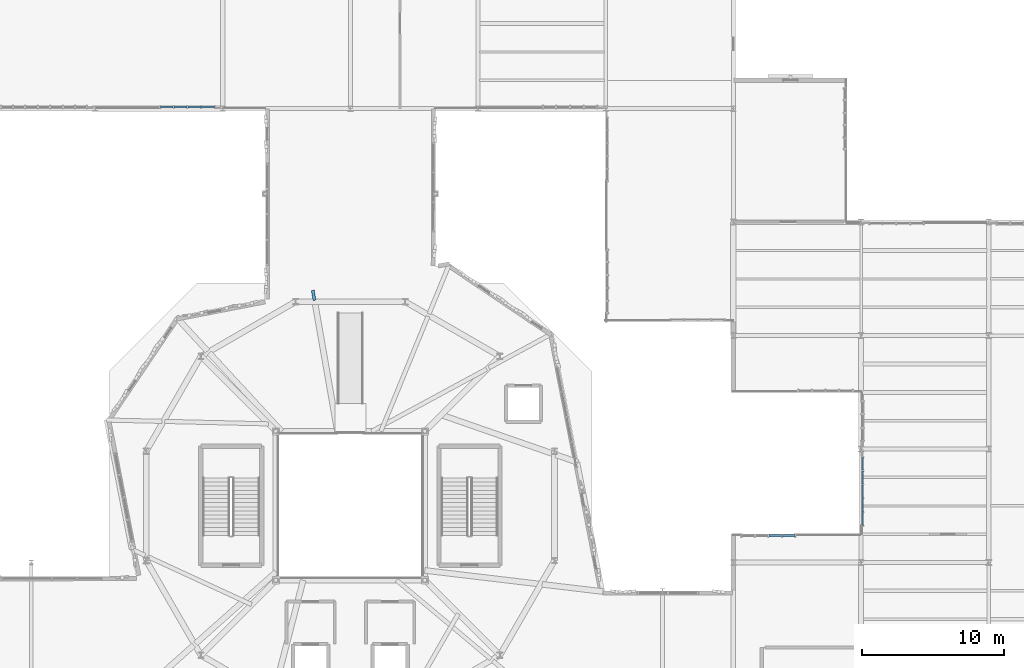
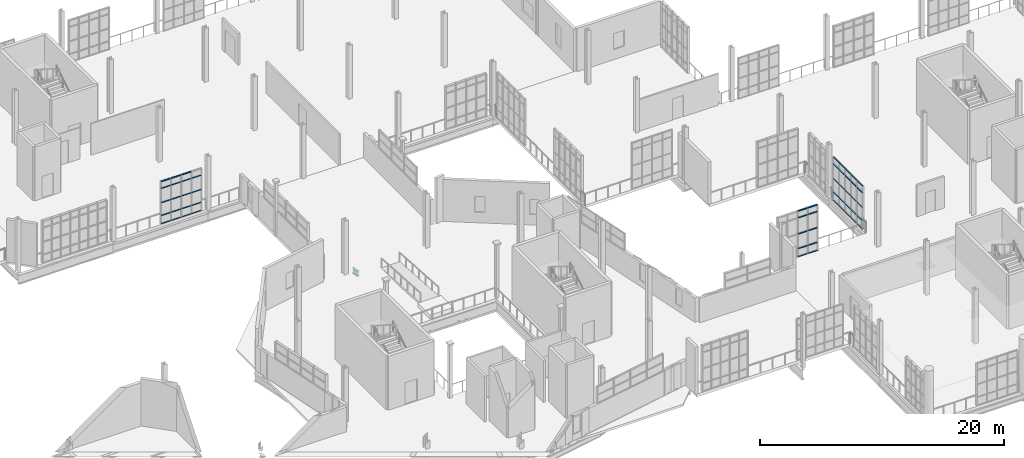
# One storey, part 90 of 142: 54 members, 1 beam, 3 elements without a shape of their own.
"""IFC4 building model written with IfcOpenShell, lengths in metres."""

from ifc_helpers import new_model, si_unit, direction, frame, origin, origin_2d, place, context, subcontext, project, spatial, hollow_rectangle, i_section, extrude, material, layer, layer_set, material_profile, profile_set, type_object, element, aggregate, save


model = new_model("IFC4")

# Units and contexts
model_context = context("Model", 3, precision=1e-05, world=origin(), true_north=direction((0.0, 1.0)))
body_context = subcontext(model_context, "Body", "Model", "MODEL_VIEW")
ifc_project = project(units=[si_unit("LENGTHUNIT", "METRE"), si_unit("AREAUNIT", "SQUARE_METRE"), si_unit("VOLUMEUNIT", "CUBIC_METRE"), si_unit("PLANEANGLEUNIT", "RADIAN"), si_unit("MASSUNIT", "GRAM", prefix="KILO"), si_unit("THERMODYNAMICTEMPERATUREUNIT", "KELVIN"), si_unit("POWERUNIT", "WATT")], contexts=[model_context])

# Site, building, storey
site_placement = place(None, origin())
site = spatial("IfcSite", under=ifc_project, at=site_placement, CompositionType="ELEMENT")
building_placement = place(site_placement, origin())
building = spatial("IfcBuilding", under=site, at=building_placement, Name="Zelmaris Science Centre", CompositionType="ELEMENT")
storey_placement = place(building_placement, frame((0.0, 0.0, 5.39990234375)))
storey = spatial("IfcBuildingStorey", under=building, at=storey_placement, Name="L01", CompositionType="ELEMENT", Elevation=5.39990234375)

# Curtain wall, members
ifc_material_1 = material(Name="Anodised architectural aluminium 6063-T6", Category="aluminium")
ifc_layer_1 = layer(ifc_material_1, 0.219970703125, Name="Anodised architectural aluminium 6063-T6")
ifc_layer_set_1 = layer_set([ifc_layer_1], Name="Anodised architectural aluminium 6063-T6")
curtain_wall_type_1 = type_object("IfcCurtainWallType", Name="Curtain Wall CW-04", PredefinedType="USERDEFINED", material=ifc_layer_set_1)
curtain_wall_1_placement = place(storey_placement, origin())
curtain_wall_1 = element("IfcCurtainWall", 1, at=curtain_wall_1_placement, inside=storey, type_object=curtain_wall_type_1, Name="L01 Unitised curtain wall 180", ObjectType="GLAZED CURTAIN WALL", PredefinedType="USERDEFINED")
ifc_material_profile_1 = material_profile(ifc_material_1, hollow_rectangle(XDim=0.06005859375, YDim=0.110107421875, WallThickness=0.0029296875, at=origin_2d()), Name="ALU-TRN-60X110")
ifc_profile_set_1 = profile_set([ifc_material_profile_1], Name="Anodised architectural aluminium 6063-T6")
member_type_1 = type_object("IfcMemberType", Name="ALU-TRN-60X110", PredefinedType="USERDEFINED", material=ifc_profile_set_1)
member_1_placement = place(storey_placement, frame((117.1103515625, 34.61865234375, 0.010986328125), z_axis=(0.001084304052, 0.999999412142, 0.0), x_axis=(0.0, 0.0, 1.0)))
member_1 = element("IfcMember", 2, at=member_1_placement, type_object=member_type_1, Name="CW-04 transom 1.1", ObjectType="TRANSOM", PredefinedType="USERDEFINED", context=body_context, shape_type="SweptSolid", body=[
    extrude(hollow_rectangle(XDim=0.06005859375, YDim=0.110107421875, WallThickness=0.0029296875, at=origin_2d()), origin(), (0.0, 0.0, 1.0), 0.900634765625),
])
member_2_placement = place(storey_placement, frame((117.1103515625, 34.61865234375, 0.835205078125), z_axis=(0.001084304052, 0.999999412142, 0.0), x_axis=(0.0, 0.0, 1.0)))
member_2 = element("IfcMember", 3, at=member_2_placement, type_object=member_type_1, Name="CW-04 transom 1.2", ObjectType="TRANSOM", PredefinedType="USERDEFINED", context=body_context, shape_type="SweptSolid", body=[
    extrude(hollow_rectangle(XDim=0.06005859375, YDim=0.110107421875, WallThickness=0.0029296875, at=origin_2d()), origin(), (0.0, 0.0, 1.0), 0.900634765625),
])
member_3_placement = place(storey_placement, frame((117.1103515625, 34.61865234375, 2.16650390625), z_axis=(0.001084304052, 0.999999412142, 0.0), x_axis=(0.0, 0.0, 1.0)))
member_3 = element("IfcMember", 4, at=member_3_placement, type_object=member_type_1, Name="CW-04 transom 1.3", ObjectType="TRANSOM", PredefinedType="USERDEFINED", context=body_context, shape_type="SweptSolid", body=[
    extrude(hollow_rectangle(XDim=0.06005859375, YDim=0.110107421875, WallThickness=0.0029296875, at=origin_2d()), origin(), (0.0, 0.0, 1.0), 0.900634765625),
])
member_4_placement = place(storey_placement, frame((117.1103515625, 34.61865234375, 3.648193359375), z_axis=(0.001084304052, 0.999999412142, 0.0), x_axis=(0.0, 0.0, 1.0)))
member_4 = element("IfcMember", 5, at=member_4_placement, type_object=member_type_1, Name="CW-04 transom 1.4", ObjectType="TRANSOM", PredefinedType="USERDEFINED", context=body_context, shape_type="SweptSolid", body=[
    extrude(hollow_rectangle(XDim=0.06005859375, YDim=0.110107421875, WallThickness=0.0029296875, at=origin_2d()), origin(), (0.0, 0.0, 1.0), 0.900634765625),
])
member_5_placement = place(storey_placement, frame((117.1103515625, 34.61865234375, 4.322021484375), z_axis=(0.001084304052, 0.999999412142, 0.0), x_axis=(0.0, 0.0, 1.0)))
member_5 = element("IfcMember", 6, at=member_5_placement, type_object=member_type_1, Name="CW-04 transom 1.5", ObjectType="TRANSOM", PredefinedType="USERDEFINED", context=body_context, shape_type="SweptSolid", body=[
    extrude(hollow_rectangle(XDim=0.06005859375, YDim=0.110107421875, WallThickness=0.0029296875, at=origin_2d()), origin(), (0.0, 0.0, 1.0), 0.900634765625),
])
member_6_placement = place(storey_placement, frame((117.111328125, 35.5712890625, 0.010986328125), z_axis=(0.00105401786, 0.999999444523, 0.0), x_axis=(0.0, 0.0, 1.0)))
member_6 = element("IfcMember", 7, at=member_6_placement, type_object=member_type_1, Name="CW-04 transom 2.1", ObjectType="TRANSOM", PredefinedType="USERDEFINED", context=body_context, shape_type="SweptSolid", body=[
    extrude(hollow_rectangle(XDim=0.06005859375, YDim=0.110107421875, WallThickness=0.0029296875, at=origin_2d()), origin(), (0.0, 0.0, 1.0), 0.926513671875),
])
member_7_placement = place(storey_placement, frame((117.111328125, 35.5712890625, 0.835205078125), z_axis=(0.00105401786, 0.999999444523, 0.0), x_axis=(0.0, 0.0, 1.0)))
member_7 = element("IfcMember", 8, at=member_7_placement, type_object=member_type_1, Name="CW-04 transom 2.2", ObjectType="TRANSOM", PredefinedType="USERDEFINED", context=body_context, shape_type="SweptSolid", body=[
    extrude(hollow_rectangle(XDim=0.06005859375, YDim=0.110107421875, WallThickness=0.0029296875, at=origin_2d()), origin(), (0.0, 0.0, 1.0), 0.926513671875),
])
member_8_placement = place(storey_placement, frame((117.111328125, 35.5712890625, 2.16650390625), z_axis=(0.00105401786, 0.999999444523, 0.0), x_axis=(0.0, 0.0, 1.0)))
member_8 = element("IfcMember", 9, at=member_8_placement, type_object=member_type_1, Name="CW-04 transom 2.3", ObjectType="TRANSOM", PredefinedType="USERDEFINED", context=body_context, shape_type="SweptSolid", body=[
    extrude(hollow_rectangle(XDim=0.06005859375, YDim=0.110107421875, WallThickness=0.0029296875, at=origin_2d()), origin(), (0.0, 0.0, 1.0), 0.926513671875),
])
member_9_placement = place(storey_placement, frame((117.111328125, 35.5712890625, 3.648193359375), z_axis=(0.00105401786, 0.999999444523, 0.0), x_axis=(0.0, 0.0, 1.0)))
member_9 = element("IfcMember", 10, at=member_9_placement, type_object=member_type_1, Name="CW-04 transom 2.4", ObjectType="TRANSOM", PredefinedType="USERDEFINED", context=body_context, shape_type="SweptSolid", body=[
    extrude(hollow_rectangle(XDim=0.06005859375, YDim=0.110107421875, WallThickness=0.0029296875, at=origin_2d()), origin(), (0.0, 0.0, 1.0), 0.926513671875),
])
member_10_placement = place(storey_placement, frame((117.111328125, 35.5712890625, 4.322021484375), z_axis=(0.00105401786, 0.999999444523, 0.0), x_axis=(0.0, 0.0, 1.0)))
member_10 = element("IfcMember", 11, at=member_10_placement, type_object=member_type_1, Name="CW-04 transom 2.5", ObjectType="TRANSOM", PredefinedType="USERDEFINED", context=body_context, shape_type="SweptSolid", body=[
    extrude(hollow_rectangle(XDim=0.06005859375, YDim=0.110107421875, WallThickness=0.0029296875, at=origin_2d()), origin(), (0.0, 0.0, 1.0), 0.926513671875),
])
member_11_placement = place(storey_placement, frame((117.1123046875, 36.5498046875, 0.010986328125), z_axis=(0.001053740195, 0.999999444816, 0.0), x_axis=(0.0, 0.0, 1.0)))
member_11 = element("IfcMember", 12, at=member_11_placement, type_object=member_type_1, Name="CW-04 transom 3.1", ObjectType="TRANSOM", PredefinedType="USERDEFINED", context=body_context, shape_type="SweptSolid", body=[
    extrude(hollow_rectangle(XDim=0.06005859375, YDim=0.110107421875, WallThickness=0.0029296875, at=origin_2d()), origin(), (0.0, 0.0, 1.0), 0.9267578125),
])
member_12_placement = place(storey_placement, frame((117.1123046875, 36.5498046875, 0.835205078125), z_axis=(0.001053740195, 0.999999444816, 0.0), x_axis=(0.0, 0.0, 1.0)))
member_12 = element("IfcMember", 13, at=member_12_placement, type_object=member_type_1, Name="CW-04 transom 3.2", ObjectType="TRANSOM", PredefinedType="USERDEFINED", context=body_context, shape_type="SweptSolid", body=[
    extrude(hollow_rectangle(XDim=0.06005859375, YDim=0.110107421875, WallThickness=0.0029296875, at=origin_2d()), origin(), (0.0, 0.0, 1.0), 0.9267578125),
])
member_13_placement = place(storey_placement, frame((117.1123046875, 36.5498046875, 2.16650390625), z_axis=(0.001053740195, 0.999999444816, 0.0), x_axis=(0.0, 0.0, 1.0)))
member_13 = element("IfcMember", 14, at=member_13_placement, type_object=member_type_1, Name="CW-04 transom 3.3", ObjectType="TRANSOM", PredefinedType="USERDEFINED", context=body_context, shape_type="SweptSolid", body=[
    extrude(hollow_rectangle(XDim=0.06005859375, YDim=0.110107421875, WallThickness=0.0029296875, at=origin_2d()), origin(), (0.0, 0.0, 1.0), 0.9267578125),
])
member_14_placement = place(storey_placement, frame((117.1123046875, 36.5498046875, 3.648193359375), z_axis=(0.001053740195, 0.999999444816, 0.0), x_axis=(0.0, 0.0, 1.0)))
member_14 = element("IfcMember", 15, at=member_14_placement, type_object=member_type_1, Name="CW-04 transom 3.4", ObjectType="TRANSOM", PredefinedType="USERDEFINED", context=body_context, shape_type="SweptSolid", body=[
    extrude(hollow_rectangle(XDim=0.06005859375, YDim=0.110107421875, WallThickness=0.0029296875, at=origin_2d()), origin(), (0.0, 0.0, 1.0), 0.9267578125),
])
member_15_placement = place(storey_placement, frame((117.1123046875, 36.5498046875, 4.322021484375), z_axis=(0.001053740195, 0.999999444816, 0.0), x_axis=(0.0, 0.0, 1.0)))
member_15 = element("IfcMember", 16, at=member_15_placement, type_object=member_type_1, Name="CW-04 transom 3.5", ObjectType="TRANSOM", PredefinedType="USERDEFINED", context=body_context, shape_type="SweptSolid", body=[
    extrude(hollow_rectangle(XDim=0.06005859375, YDim=0.110107421875, WallThickness=0.0029296875, at=origin_2d()), origin(), (0.0, 0.0, 1.0), 0.9267578125),
])
member_16_placement = place(storey_placement, frame((117.113525390625, 37.528564453125, 0.010986328125), z_axis=(0.000790305338, 0.999999687709, 0.0), x_axis=(0.0, 0.0, 1.0)))
member_16 = element("IfcMember", 17, at=member_16_placement, type_object=member_type_1, Name="CW-04 transom 4.1", ObjectType="TRANSOM", PredefinedType="USERDEFINED", context=body_context, shape_type="SweptSolid", body=[
    extrude(hollow_rectangle(XDim=0.06005859375, YDim=0.110107421875, WallThickness=0.0029296875, at=origin_2d()), origin(), (0.0, 0.0, 1.0), 0.9267578125),
])
member_17_placement = place(storey_placement, frame((117.113525390625, 37.528564453125, 0.835205078125), z_axis=(0.000790305338, 0.999999687709, 0.0), x_axis=(0.0, 0.0, 1.0)))
member_17 = element("IfcMember", 18, at=member_17_placement, type_object=member_type_1, Name="CW-04 transom 4.2", ObjectType="TRANSOM", PredefinedType="USERDEFINED", context=body_context, shape_type="SweptSolid", body=[
    extrude(hollow_rectangle(XDim=0.06005859375, YDim=0.110107421875, WallThickness=0.0029296875, at=origin_2d()), origin(), (0.0, 0.0, 1.0), 0.9267578125),
])
member_18_placement = place(storey_placement, frame((117.113525390625, 37.528564453125, 2.16650390625), z_axis=(0.000790305338, 0.999999687709, 0.0), x_axis=(0.0, 0.0, 1.0)))
member_18 = element("IfcMember", 19, at=member_18_placement, type_object=member_type_1, Name="CW-04 transom 4.3", ObjectType="TRANSOM", PredefinedType="USERDEFINED", context=body_context, shape_type="SweptSolid", body=[
    extrude(hollow_rectangle(XDim=0.06005859375, YDim=0.110107421875, WallThickness=0.0029296875, at=origin_2d()), origin(), (0.0, 0.0, 1.0), 0.9267578125),
])
member_19_placement = place(storey_placement, frame((117.113525390625, 37.528564453125, 3.648193359375), z_axis=(0.000790305338, 0.999999687709, 0.0), x_axis=(0.0, 0.0, 1.0)))
member_19 = element("IfcMember", 20, at=member_19_placement, type_object=member_type_1, Name="CW-04 transom 4.4", ObjectType="TRANSOM", PredefinedType="USERDEFINED", context=body_context, shape_type="SweptSolid", body=[
    extrude(hollow_rectangle(XDim=0.06005859375, YDim=0.110107421875, WallThickness=0.0029296875, at=origin_2d()), origin(), (0.0, 0.0, 1.0), 0.9267578125),
])
member_20_placement = place(storey_placement, frame((117.113525390625, 37.528564453125, 4.322021484375), z_axis=(0.000790305338, 0.999999687709, 0.0), x_axis=(0.0, 0.0, 1.0)))
member_20 = element("IfcMember", 21, at=member_20_placement, type_object=member_type_1, Name="CW-04 transom 4.5", ObjectType="TRANSOM", PredefinedType="USERDEFINED", context=body_context, shape_type="SweptSolid", body=[
    extrude(hollow_rectangle(XDim=0.06005859375, YDim=0.110107421875, WallThickness=0.0029296875, at=origin_2d()), origin(), (0.0, 0.0, 1.0), 0.9267578125),
])
member_21_placement = place(storey_placement, frame((117.114501953125, 38.50732421875, 0.010986328125), z_axis=(0.000813228248, 0.99999966933, 0.0), x_axis=(0.0, 0.0, 1.0)))
member_21 = element("IfcMember", 22, at=member_21_placement, type_object=member_type_1, Name="CW-04 transom 5.1", ObjectType="TRANSOM", PredefinedType="USERDEFINED", context=body_context, shape_type="SweptSolid", body=[
    extrude(hollow_rectangle(XDim=0.06005859375, YDim=0.110107421875, WallThickness=0.0029296875, at=origin_2d()), origin(), (0.0, 0.0, 1.0), 0.900634765625),
])
member_22_placement = place(storey_placement, frame((117.114501953125, 38.50732421875, 0.835205078125), z_axis=(0.000813228248, 0.99999966933, 0.0), x_axis=(0.0, 0.0, 1.0)))
member_22 = element("IfcMember", 23, at=member_22_placement, type_object=member_type_1, Name="CW-04 transom 5.2", ObjectType="TRANSOM", PredefinedType="USERDEFINED", context=body_context, shape_type="SweptSolid", body=[
    extrude(hollow_rectangle(XDim=0.06005859375, YDim=0.110107421875, WallThickness=0.0029296875, at=origin_2d()), origin(), (0.0, 0.0, 1.0), 0.900634765625),
])
member_23_placement = place(storey_placement, frame((117.114501953125, 38.50732421875, 2.16650390625), z_axis=(0.000813228248, 0.99999966933, 0.0), x_axis=(0.0, 0.0, 1.0)))
member_23 = element("IfcMember", 24, at=member_23_placement, type_object=member_type_1, Name="CW-04 transom 5.3", ObjectType="TRANSOM", PredefinedType="USERDEFINED", context=body_context, shape_type="SweptSolid", body=[
    extrude(hollow_rectangle(XDim=0.06005859375, YDim=0.110107421875, WallThickness=0.0029296875, at=origin_2d()), origin(), (0.0, 0.0, 1.0), 0.900634765625),
])
member_24_placement = place(storey_placement, frame((117.114501953125, 38.50732421875, 3.648193359375), z_axis=(0.000813228248, 0.99999966933, 0.0), x_axis=(0.0, 0.0, 1.0)))
member_24 = element("IfcMember", 25, at=member_24_placement, type_object=member_type_1, Name="CW-04 transom 5.4", ObjectType="TRANSOM", PredefinedType="USERDEFINED", context=body_context, shape_type="SweptSolid", body=[
    extrude(hollow_rectangle(XDim=0.06005859375, YDim=0.110107421875, WallThickness=0.0029296875, at=origin_2d()), origin(), (0.0, 0.0, 1.0), 0.900634765625),
])
member_25_placement = place(storey_placement, frame((117.114501953125, 38.50732421875, 4.322021484375), z_axis=(0.000813228248, 0.99999966933, 0.0), x_axis=(0.0, 0.0, 1.0)))
member_25 = element("IfcMember", 26, at=member_25_placement, type_object=member_type_1, Name="CW-04 transom 5.5", ObjectType="TRANSOM", PredefinedType="USERDEFINED", context=body_context, shape_type="SweptSolid", body=[
    extrude(hollow_rectangle(XDim=0.06005859375, YDim=0.110107421875, WallThickness=0.0029296875, at=origin_2d()), origin(), (0.0, 0.0, 1.0), 0.900634765625),
])
aggregate(curtain_wall_1, [member_1, member_2, member_3, member_4, member_5, member_6, member_7, member_8, member_9, member_10, member_11, member_12, member_13, member_14, member_15, member_16, member_17, member_18, member_19, member_20, member_21, member_22, member_23, member_24, member_25])

ifc_layer_2 = layer(ifc_material_1, 0.2099609375, Name="Anodised architectural aluminium 6063-T6")
ifc_layer_set_2 = layer_set([ifc_layer_2], Name="Anodised architectural aluminium 6063-T6")
curtain_wall_type_2 = type_object("IfcCurtainWallType", Name="Curtain Wall CW-03", PredefinedType="USERDEFINED", material=ifc_layer_set_2)
curtain_wall_2_placement = place(storey_placement, origin())
curtain_wall_2 = element("IfcCurtainWall", 27, at=curtain_wall_2_placement, inside=storey, type_object=curtain_wall_type_2, Name="L01 Unitised curtain wall 195", ObjectType="GLAZED CURTAIN WALL", PredefinedType="USERDEFINED")
ifc_material_profile_2 = material_profile(ifc_material_1, hollow_rectangle(XDim=0.06494140625, YDim=0.1298828125, WallThickness=0.00341796875, at=origin_2d()), Name="ALU-TRN-65X130")
ifc_profile_set_2 = profile_set([ifc_material_profile_2], Name="Anodised architectural aluminium 6063-T6")
member_type_2 = type_object("IfcMemberType", Name="ALU-TRN-65X130", PredefinedType="USERDEFINED", material=ifc_profile_set_2)
member_26_placement = place(storey_placement, frame((71.403076171875, 64.105712890625, 0.013671875), z_axis=(-0.999999397203, 0.001097995495, 0.0), x_axis=(0.0, 0.0, 1.0)))
member_26 = element("IfcMember", 28, at=member_26_placement, type_object=member_type_2, Name="CW-03 transom 1.1", ObjectType="TRANSOM", PredefinedType="USERDEFINED", context=body_context, shape_type="SweptSolid", body=[
    extrude(hollow_rectangle(XDim=0.06494140625, YDim=0.1298828125, WallThickness=0.00341796875, at=origin_2d()), origin(), (0.0, 0.0, 1.0), 0.889404296875),
])
member_27_placement = place(storey_placement, frame((71.403076171875, 64.105712890625, 0.835205078125), z_axis=(-0.999999397203, 0.001097995495, 0.0), x_axis=(0.0, 0.0, 1.0)))
member_27 = element("IfcMember", 29, at=member_27_placement, type_object=member_type_2, Name="CW-03 transom 1.2", ObjectType="TRANSOM", PredefinedType="USERDEFINED", context=body_context, shape_type="SweptSolid", body=[
    extrude(hollow_rectangle(XDim=0.06494140625, YDim=0.1298828125, WallThickness=0.00341796875, at=origin_2d()), origin(), (0.0, 0.0, 1.0), 0.889404296875),
])
member_28_placement = place(storey_placement, frame((71.403076171875, 64.105712890625, 2.11962890625), z_axis=(-0.999999397203, 0.001097995495, 0.0), x_axis=(0.0, 0.0, 1.0)))
member_28 = element("IfcMember", 30, at=member_28_placement, type_object=member_type_2, Name="CW-03 transom 1.3", ObjectType="TRANSOM", PredefinedType="USERDEFINED", context=body_context, shape_type="SweptSolid", body=[
    extrude(hollow_rectangle(XDim=0.06494140625, YDim=0.1298828125, WallThickness=0.00341796875, at=origin_2d()), origin(), (0.0, 0.0, 1.0), 0.889404296875),
])
member_29_placement = place(storey_placement, frame((71.403076171875, 64.105712890625, 3.55419921875), z_axis=(-0.999999397203, 0.001097995495, 0.0), x_axis=(0.0, 0.0, 1.0)))
member_29 = element("IfcMember", 31, at=member_29_placement, type_object=member_type_2, Name="CW-03 transom 1.4", ObjectType="TRANSOM", PredefinedType="USERDEFINED", context=body_context, shape_type="SweptSolid", body=[
    extrude(hollow_rectangle(XDim=0.06494140625, YDim=0.1298828125, WallThickness=0.00341796875, at=origin_2d()), origin(), (0.0, 0.0, 1.0), 0.889404296875),
])
member_30_placement = place(storey_placement, frame((70.45654296875, 64.106689453125, 0.013671875), z_axis=(-0.9999996817, 0.000797872086, 0.0), x_axis=(0.0, 0.0, 1.0)))
member_30 = element("IfcMember", 32, at=member_30_placement, type_object=member_type_2, Name="CW-03 transom 2.1", ObjectType="TRANSOM", PredefinedType="USERDEFINED", context=body_context, shape_type="SweptSolid", body=[
    extrude(hollow_rectangle(XDim=0.06494140625, YDim=0.1298828125, WallThickness=0.00341796875, at=origin_2d()), origin(), (0.0, 0.0, 1.0), 0.91796875),
])
member_31_placement = place(storey_placement, frame((70.45654296875, 64.106689453125, 0.835205078125), z_axis=(-0.9999996817, 0.000797872086, 0.0), x_axis=(0.0, 0.0, 1.0)))
member_31 = element("IfcMember", 33, at=member_31_placement, type_object=member_type_2, Name="CW-03 transom 2.2", ObjectType="TRANSOM", PredefinedType="USERDEFINED", context=body_context, shape_type="SweptSolid", body=[
    extrude(hollow_rectangle(XDim=0.06494140625, YDim=0.1298828125, WallThickness=0.00341796875, at=origin_2d()), origin(), (0.0, 0.0, 1.0), 0.91796875),
])
member_32_placement = place(storey_placement, frame((70.45654296875, 64.106689453125, 2.11962890625), z_axis=(-0.9999996817, 0.000797872086, 0.0), x_axis=(0.0, 0.0, 1.0)))
member_32 = element("IfcMember", 34, at=member_32_placement, type_object=member_type_2, Name="CW-03 transom 2.3", ObjectType="TRANSOM", PredefinedType="USERDEFINED", context=body_context, shape_type="SweptSolid", body=[
    extrude(hollow_rectangle(XDim=0.06494140625, YDim=0.1298828125, WallThickness=0.00341796875, at=origin_2d()), origin(), (0.0, 0.0, 1.0), 0.91796875),
])
member_33_placement = place(storey_placement, frame((70.45654296875, 64.106689453125, 3.55419921875), z_axis=(-0.9999996817, 0.000797872086, 0.0), x_axis=(0.0, 0.0, 1.0)))
member_33 = element("IfcMember", 35, at=member_33_placement, type_object=member_type_2, Name="CW-03 transom 2.4", ObjectType="TRANSOM", PredefinedType="USERDEFINED", context=body_context, shape_type="SweptSolid", body=[
    extrude(hollow_rectangle(XDim=0.06494140625, YDim=0.1298828125, WallThickness=0.00341796875, at=origin_2d()), origin(), (0.0, 0.0, 1.0), 0.91796875),
])
member_34_placement = place(storey_placement, frame((70.45654296875, 64.106689453125, 4.2255859375), z_axis=(-0.9999996817, 0.000797872086, 0.0), x_axis=(0.0, 0.0, 1.0)))
member_34 = element("IfcMember", 36, at=member_34_placement, type_object=member_type_2, Name="CW-03 transom 2.5", ObjectType="TRANSOM", PredefinedType="USERDEFINED", context=body_context, shape_type="SweptSolid", body=[
    extrude(hollow_rectangle(XDim=0.06494140625, YDim=0.1298828125, WallThickness=0.00341796875, at=origin_2d()), origin(), (0.0, 0.0, 1.0), 0.91796875),
])
member_35_placement = place(storey_placement, frame((69.481689453125, 64.107421875, 0.013671875), z_axis=(-0.999999434134, 0.001063829185, 0.0), x_axis=(0.0, 0.0, 1.0)))
member_35 = element("IfcMember", 37, at=member_35_placement, type_object=member_type_2, Name="CW-03 transom 3.1", ObjectType="TRANSOM", PredefinedType="USERDEFINED", context=body_context, shape_type="SweptSolid", body=[
    extrude(hollow_rectangle(XDim=0.06494140625, YDim=0.1298828125, WallThickness=0.00341796875, at=origin_2d()), origin(), (0.0, 0.0, 1.0), 0.91796875),
])
member_36_placement = place(storey_placement, frame((69.481689453125, 64.107421875, 0.835205078125), z_axis=(-0.999999434134, 0.001063829185, 0.0), x_axis=(0.0, 0.0, 1.0)))
member_36 = element("IfcMember", 38, at=member_36_placement, type_object=member_type_2, Name="CW-03 transom 3.2", ObjectType="TRANSOM", PredefinedType="USERDEFINED", context=body_context, shape_type="SweptSolid", body=[
    extrude(hollow_rectangle(XDim=0.06494140625, YDim=0.1298828125, WallThickness=0.00341796875, at=origin_2d()), origin(), (0.0, 0.0, 1.0), 0.91796875),
])
member_37_placement = place(storey_placement, frame((69.481689453125, 64.107421875, 2.11962890625), z_axis=(-0.999999434134, 0.001063829185, 0.0), x_axis=(0.0, 0.0, 1.0)))
member_37 = element("IfcMember", 39, at=member_37_placement, type_object=member_type_2, Name="CW-03 transom 3.3", ObjectType="TRANSOM", PredefinedType="USERDEFINED", context=body_context, shape_type="SweptSolid", body=[
    extrude(hollow_rectangle(XDim=0.06494140625, YDim=0.1298828125, WallThickness=0.00341796875, at=origin_2d()), origin(), (0.0, 0.0, 1.0), 0.91796875),
])
member_38_placement = place(storey_placement, frame((69.481689453125, 64.107421875, 3.55419921875), z_axis=(-0.999999434134, 0.001063829185, 0.0), x_axis=(0.0, 0.0, 1.0)))
member_38 = element("IfcMember", 40, at=member_38_placement, type_object=member_type_2, Name="CW-03 transom 3.4", ObjectType="TRANSOM", PredefinedType="USERDEFINED", context=body_context, shape_type="SweptSolid", body=[
    extrude(hollow_rectangle(XDim=0.06494140625, YDim=0.1298828125, WallThickness=0.00341796875, at=origin_2d()), origin(), (0.0, 0.0, 1.0), 0.91796875),
])
member_39_placement = place(storey_placement, frame((69.481689453125, 64.107421875, 4.2255859375), z_axis=(-0.999999434134, 0.001063829185, 0.0), x_axis=(0.0, 0.0, 1.0)))
member_39 = element("IfcMember", 41, at=member_39_placement, type_object=member_type_2, Name="CW-03 transom 3.5", ObjectType="TRANSOM", PredefinedType="USERDEFINED", context=body_context, shape_type="SweptSolid", body=[
    extrude(hollow_rectangle(XDim=0.06494140625, YDim=0.1298828125, WallThickness=0.00341796875, at=origin_2d()), origin(), (0.0, 0.0, 1.0), 0.91796875),
])
member_40_placement = place(storey_placement, frame((68.506591796875, 64.1083984375, 0.013671875), z_axis=(-0.999999660926, 0.000823496839, 0.0), x_axis=(0.0, 0.0, 1.0)))
member_40 = element("IfcMember", 42, at=member_40_placement, type_object=member_type_2, Name="CW-03 transom 4.1", ObjectType="TRANSOM", PredefinedType="USERDEFINED", context=body_context, shape_type="SweptSolid", body=[
    extrude(hollow_rectangle(XDim=0.06494140625, YDim=0.1298828125, WallThickness=0.00341796875, at=origin_2d()), origin(), (0.0, 0.0, 1.0), 0.889404296875),
])
member_41_placement = place(storey_placement, frame((68.506591796875, 64.1083984375, 0.835205078125), z_axis=(-0.999999660926, 0.000823496839, 0.0), x_axis=(0.0, 0.0, 1.0)))
member_41 = element("IfcMember", 43, at=member_41_placement, type_object=member_type_2, Name="CW-03 transom 4.2", ObjectType="TRANSOM", PredefinedType="USERDEFINED", context=body_context, shape_type="SweptSolid", body=[
    extrude(hollow_rectangle(XDim=0.06494140625, YDim=0.1298828125, WallThickness=0.00341796875, at=origin_2d()), origin(), (0.0, 0.0, 1.0), 0.889404296875),
])
member_42_placement = place(storey_placement, frame((68.506591796875, 64.1083984375, 2.11962890625), z_axis=(-0.999999660926, 0.000823496839, 0.0), x_axis=(0.0, 0.0, 1.0)))
member_42 = element("IfcMember", 44, at=member_42_placement, type_object=member_type_2, Name="CW-03 transom 4.3", ObjectType="TRANSOM", PredefinedType="USERDEFINED", context=body_context, shape_type="SweptSolid", body=[
    extrude(hollow_rectangle(XDim=0.06494140625, YDim=0.1298828125, WallThickness=0.00341796875, at=origin_2d()), origin(), (0.0, 0.0, 1.0), 0.889404296875),
])
member_43_placement = place(storey_placement, frame((68.506591796875, 64.1083984375, 3.55419921875), z_axis=(-0.999999660926, 0.000823496839, 0.0), x_axis=(0.0, 0.0, 1.0)))
member_43 = element("IfcMember", 45, at=member_43_placement, type_object=member_type_2, Name="CW-03 transom 4.4", ObjectType="TRANSOM", PredefinedType="USERDEFINED", context=body_context, shape_type="SweptSolid", body=[
    extrude(hollow_rectangle(XDim=0.06494140625, YDim=0.1298828125, WallThickness=0.00341796875, at=origin_2d()), origin(), (0.0, 0.0, 1.0), 0.889404296875),
])
member_44_placement = place(storey_placement, frame((68.506591796875, 64.1083984375, 4.2255859375), z_axis=(-0.999999660926, 0.000823496839, 0.0), x_axis=(0.0, 0.0, 1.0)))
member_44 = element("IfcMember", 46, at=member_44_placement, type_object=member_type_2, Name="CW-03 transom 4.5", ObjectType="TRANSOM", PredefinedType="USERDEFINED", context=body_context, shape_type="SweptSolid", body=[
    extrude(hollow_rectangle(XDim=0.06494140625, YDim=0.1298828125, WallThickness=0.00341796875, at=origin_2d()), origin(), (0.0, 0.0, 1.0), 0.889404296875),
])
aggregate(curtain_wall_2, [member_26, member_27, member_28, member_29, member_30, member_31, member_32, member_33, member_34, member_35, member_36, member_37, member_38, member_39, member_40, member_41, member_42, member_43, member_44])

ifc_layer_3 = layer(ifc_material_1, 0.199951171875, Name="Anodised architectural aluminium 6063-T6")
ifc_layer_set_3 = layer_set([ifc_layer_3], Name="Anodised architectural aluminium 6063-T6")
curtain_wall_type_3 = type_object("IfcCurtainWallType", Name="Curtain Wall CW-02", PredefinedType="USERDEFINED", material=ifc_layer_set_3)
curtain_wall_3_placement = place(storey_placement, origin())
curtain_wall_3 = element("IfcCurtainWall", 47, at=curtain_wall_3_placement, inside=storey, type_object=curtain_wall_type_3, Name="L01 Unitised curtain wall 178", ObjectType="GLAZED CURTAIN WALL", PredefinedType="USERDEFINED")
ifc_material_profile_3 = material_profile(ifc_material_1, hollow_rectangle(XDim=0.074951171875, YDim=0.159912109375, WallThickness=0.00390625, at=origin_2d()), Name="ALU-TRN-75X160")
ifc_profile_set_3 = profile_set([ifc_material_profile_3], Name="Anodised architectural aluminium 6063-T6")
member_type_3 = type_object("IfcMemberType", Name="ALU-TRN-75X160", PredefinedType="USERDEFINED", material=ifc_profile_set_3)
member_45_placement = place(storey_placement, frame((110.508544921875, 33.8798828125, 0.0185546875), z_axis=(1.0, 0.0, 0.0), x_axis=(0.0, 0.0, 1.0)))
member_45 = element("IfcMember", 48, at=member_45_placement, type_object=member_type_3, Name="CW-02 transom 3.1", ObjectType="TRANSOM", PredefinedType="USERDEFINED", context=body_context, shape_type="SweptSolid", body=[
    extrude(hollow_rectangle(XDim=0.074951171875, YDim=0.159912109375, WallThickness=0.00390625, at=origin_2d()), origin(), (0.0, 0.0, 1.0), 0.900390625),
])
member_46_placement = place(storey_placement, frame((110.508544921875, 33.8798828125, 0.835205078125), z_axis=(1.0, 0.0, 0.0), x_axis=(0.0, 0.0, 1.0)))
member_46 = element("IfcMember", 49, at=member_46_placement, type_object=member_type_3, Name="CW-02 transom 3.2", ObjectType="TRANSOM", PredefinedType="USERDEFINED", context=body_context, shape_type="SweptSolid", body=[
    extrude(hollow_rectangle(XDim=0.074951171875, YDim=0.159912109375, WallThickness=0.00390625, at=origin_2d()), origin(), (0.0, 0.0, 1.0), 0.900390625),
])
member_47_placement = place(storey_placement, frame((110.508544921875, 33.8798828125, 2.302490234375), z_axis=(1.0, 0.0, 0.0), x_axis=(0.0, 0.0, 1.0)))
member_47 = element("IfcMember", 50, at=member_47_placement, type_object=member_type_3, Name="CW-02 transom 3.3", ObjectType="TRANSOM", PredefinedType="USERDEFINED", context=body_context, shape_type="SweptSolid", body=[
    extrude(hollow_rectangle(XDim=0.074951171875, YDim=0.159912109375, WallThickness=0.00390625, at=origin_2d()), origin(), (0.0, 0.0, 1.0), 0.900390625),
])
member_48_placement = place(storey_placement, frame((110.508544921875, 33.8798828125, 3.920166015625), z_axis=(1.0, 0.0, 0.0), x_axis=(0.0, 0.0, 1.0)))
member_48 = element("IfcMember", 51, at=member_48_placement, type_object=member_type_3, Name="CW-02 transom 3.4", ObjectType="TRANSOM", PredefinedType="USERDEFINED", context=body_context, shape_type="SweptSolid", body=[
    extrude(hollow_rectangle(XDim=0.074951171875, YDim=0.159912109375, WallThickness=0.00390625, at=origin_2d()), origin(), (0.0, 0.0, 1.0), 0.900390625),
])
member_49_placement = place(storey_placement, frame((110.508544921875, 33.8798828125, 4.586669921875), z_axis=(1.0, 0.0, 0.0), x_axis=(0.0, 0.0, 1.0)))
member_49 = element("IfcMember", 52, at=member_49_placement, type_object=member_type_3, Name="CW-02 transom 3.5", ObjectType="TRANSOM", PredefinedType="USERDEFINED", context=body_context, shape_type="SweptSolid", body=[
    extrude(hollow_rectangle(XDim=0.074951171875, YDim=0.159912109375, WallThickness=0.00390625, at=origin_2d()), origin(), (0.0, 0.0, 1.0), 0.900390625),
])
member_50_placement = place(storey_placement, frame((111.47607421875, 33.8798828125, 0.0185546875), z_axis=(1.0, 0.0, 0.0), x_axis=(0.0, 0.0, 1.0)))
member_50 = element("IfcMember", 53, at=member_50_placement, type_object=member_type_3, Name="CW-02 transom 4.1", ObjectType="TRANSOM", PredefinedType="USERDEFINED", context=body_context, shape_type="SweptSolid", body=[
    extrude(hollow_rectangle(XDim=0.074951171875, YDim=0.159912109375, WallThickness=0.00390625, at=origin_2d()), origin(), (0.0, 0.0, 1.0), 0.866943359375),
])
member_51_placement = place(storey_placement, frame((111.47607421875, 33.8798828125, 0.835205078125), z_axis=(1.0, 0.0, 0.0), x_axis=(0.0, 0.0, 1.0)))
member_51 = element("IfcMember", 54, at=member_51_placement, type_object=member_type_3, Name="CW-02 transom 4.2", ObjectType="TRANSOM", PredefinedType="USERDEFINED", context=body_context, shape_type="SweptSolid", body=[
    extrude(hollow_rectangle(XDim=0.074951171875, YDim=0.159912109375, WallThickness=0.00390625, at=origin_2d()), origin(), (0.0, 0.0, 1.0), 0.866943359375),
])
member_52_placement = place(storey_placement, frame((111.47607421875, 33.8798828125, 2.302490234375), z_axis=(1.0, 0.0, 0.0), x_axis=(0.0, 0.0, 1.0)))
member_52 = element("IfcMember", 55, at=member_52_placement, type_object=member_type_3, Name="CW-02 transom 4.3", ObjectType="TRANSOM", PredefinedType="USERDEFINED", context=body_context, shape_type="SweptSolid", body=[
    extrude(hollow_rectangle(XDim=0.074951171875, YDim=0.159912109375, WallThickness=0.00390625, at=origin_2d()), origin(), (0.0, 0.0, 1.0), 0.866943359375),
])
member_53_placement = place(storey_placement, frame((111.47607421875, 33.8798828125, 3.920166015625), z_axis=(1.0, 0.0, 0.0), x_axis=(0.0, 0.0, 1.0)))
member_53 = element("IfcMember", 56, at=member_53_placement, type_object=member_type_3, Name="CW-02 transom 4.4", ObjectType="TRANSOM", PredefinedType="USERDEFINED", context=body_context, shape_type="SweptSolid", body=[
    extrude(hollow_rectangle(XDim=0.074951171875, YDim=0.159912109375, WallThickness=0.00390625, at=origin_2d()), origin(), (0.0, 0.0, 1.0), 0.866943359375),
])
member_54_placement = place(storey_placement, frame((111.47607421875, 33.8798828125, 4.586669921875), z_axis=(1.0, 0.0, 0.0), x_axis=(0.0, 0.0, 1.0)))
member_54 = element("IfcMember", 57, at=member_54_placement, type_object=member_type_3, Name="CW-02 transom 4.5", ObjectType="TRANSOM", PredefinedType="USERDEFINED", context=body_context, shape_type="SweptSolid", body=[
    extrude(hollow_rectangle(XDim=0.074951171875, YDim=0.159912109375, WallThickness=0.00390625, at=origin_2d()), origin(), (0.0, 0.0, 1.0), 0.866943359375),
])
aggregate(curtain_wall_3, [member_45, member_46, member_47, member_48, member_49, member_50, member_51, member_52, member_53, member_54])

# Beam
ifc_material_2 = material(Name="Steel ASTM A992 Grade 50", Category="steel")
ifc_material_profile_4 = material_profile(ifc_material_2, i_section(OverallWidth=0.2109375, OverallDepth=0.5380859375, WebThickness=0.01171875, FlangeThickness=0.018798828125, FilletRadius=0.013916015625, at=origin_2d()), Name="W21X73")
ifc_profile_set_4 = profile_set([ifc_material_profile_4], Name="Steel ASTM A992 Grade 50")
beam_type = type_object("IfcBeamType", Name="Beam G-19 W21X73", PredefinedType="BEAM", material=ifc_profile_set_4)
beam_placement = place(storey_placement, frame((78.47021484375, 50.48583984375, -0.56884765625), z_axis=(-0.17197474366, 0.98510135902, 0.0), x_axis=(-0.98510135902, -0.17197474366, 0.0)))
element("IfcBeam", 58, at=beam_placement, inside=storey, type_object=beam_type, Name="L01 Radial overhang girder 8", PredefinedType="BEAM", context=body_context, shape_type="SweptSolid", body=[
    extrude(i_section(OverallWidth=0.2109375, OverallDepth=0.5380859375, WebThickness=0.01171875, FlangeThickness=0.018798828125, FilletRadius=0.013916015625, at=origin_2d()), origin(), (0.0, 0.0, 1.0), 0.715576171875),
])

save(model, "model.ifc")
